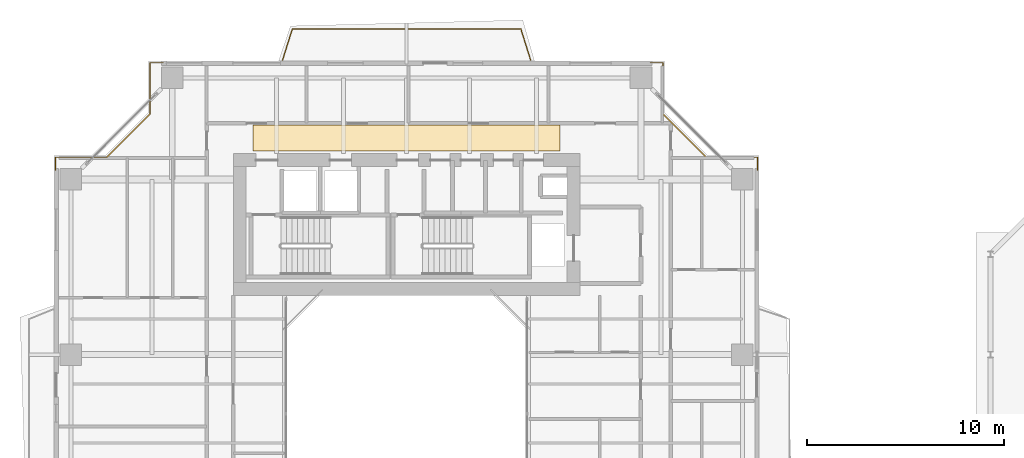
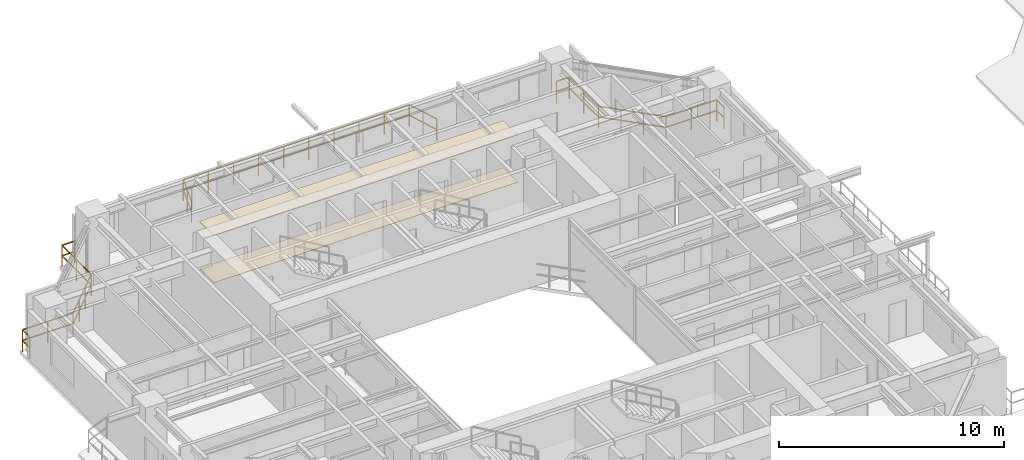
# One storey, part 28 of 28: 3 railings, 2 coverings.
"""IFC4 building model written with IfcOpenShell, lengths in metres."""

from ifc_helpers import new_model, si_unit, direction, frame, origin, origin_2d, place, context, subcontext, project, spatial, polyline, rectangle, outline, extrude, material, layer, layer_set, type_object, element, save


model = new_model("IFC4")

# Units and contexts
model_context = context("Model", 3, precision=1e-05, world=origin(), true_north=direction((0.0, 1.0)))
body_context = subcontext(model_context, "Body", "Model", "MODEL_VIEW")
ifc_project = project(units=[si_unit("LENGTHUNIT", "METRE"), si_unit("AREAUNIT", "SQUARE_METRE"), si_unit("VOLUMEUNIT", "CUBIC_METRE"), si_unit("PLANEANGLEUNIT", "RADIAN"), si_unit("MASSUNIT", "GRAM", prefix="KILO"), si_unit("THERMODYNAMICTEMPERATUREUNIT", "KELVIN"), si_unit("POWERUNIT", "WATT")], contexts=[model_context])

# Site, building, storey
site_placement = place(None, origin())
site = spatial("IfcSite", under=ifc_project, at=site_placement, CompositionType="ELEMENT")
building_placement = place(site_placement, origin())
building = spatial("IfcBuilding", under=site, at=building_placement, Name="Qiaomeng Ring Towers", CompositionType="ELEMENT")
storey_placement = place(building_placement, frame((0.0, 0.0, 113.25)))
storey = spatial("IfcBuildingStorey", under=building, at=storey_placement, Name="L32", CompositionType="ELEMENT", Elevation=113.25)

# Coverings
ifc_material_1 = material(Name="Mineral fibre acoustic ceiling tile", Category="gypsum")
ifc_layer_1 = layer(ifc_material_1, 0.02490234375, Name="Mineral fibre acoustic ceiling tile")
ifc_layer_set_1 = layer_set([ifc_layer_1], Name="Mineral fibre acoustic ceiling tile")
covering_type_1 = type_object("IfcCoveringType", Name="ARC-COV-CEIL1", PredefinedType="CEILING", material=ifc_layer_set_1)
covering_1_placement = place(storey_placement, frame((0.0, 0.0, 2.550048828125)))
element("IfcCovering", 1, at=covering_1_placement, inside=storey, type_object=covering_type_1, Name="L32 Corridor Acoustic Ceiling", PredefinedType="CEILING", context=body_context, shape_type="SweptSolid", body=[
    extrude(outline(polyline([(11.199951171875, 36.35009765625), (11.199951171875, 37.64990234375), (26.800048828125, 37.64990234375), (26.800048828125, 36.35009765625), (11.199951171875, 36.35009765625)])), origin(), (0.0, 0.0, 1.0), 0.02490234375),
])
ifc_material_2 = material(Name="Vitrified porcelain floor tile", Category="ceramic")
ifc_layer_2 = layer(ifc_material_2, 0.02001953125, Name="Vitrified porcelain floor tile")
ifc_layer_set_2 = layer_set([ifc_layer_2], Name="Vitrified porcelain floor tile")
covering_type_2 = type_object("IfcCoveringType", Name="ARC-COV-FLR1", PredefinedType="FLOORING", material=ifc_layer_set_2)
covering_2_placement = place(storey_placement, origin())
element("IfcCovering", 2, at=covering_2_placement, inside=storey, type_object=covering_type_2, Name="L32 Corridor Stone Flooring", PredefinedType="FLOORING", context=body_context, shape_type="SweptSolid", body=[
    extrude(outline(polyline([(11.199951171875, 36.35009765625), (11.199951171875, 37.64990234375), (26.800048828125, 37.64990234375), (26.800048828125, 36.35009765625), (11.199951171875, 36.35009765625)])), origin(), (0.0, 0.0, 1.0), 0.02001953125),
])

# Railings
ifc_material_3 = material(Name="Low-E pale-green laminated safety glass", Category="glass")
railing_type = type_object("IfcRailingType", Name="ARC-RL-BAL1", PredefinedType="BALUSTRADE", material=ifc_material_3)
railing_1_placement = place(storey_placement, frame((36.820068359375, 35.3701171875, 0.0)))
element("IfcRailing", 3, at=railing_1_placement, inside=storey, type_object=railing_type, Name="L32 Balustrade ARC-BAL-NOTCH1-L32-NE", PredefinedType="BALUSTRADE", context=body_context, shape_type="SweptSolid", body=[
    extrude(rectangle(XDim=0.048095703125, YDim=0.048095703125, at=origin_2d()), frame((0.0, 0.0, 1.17578125), z_axis=(0.0, 1.0, 0.0), x_axis=(-1.0, 0.0, 0.0)), (0.0, 0.0, 1.0), 0.64990234375),
    extrude(rectangle(XDim=0.048095703125, YDim=0.048095703125, at=origin_2d()), frame((0.0, 0.0, 0.60009765625), z_axis=(0.0, 1.0, 0.0), x_axis=(-1.0, 0.0, 0.0)), (0.0, 0.0, 1.0), 0.64990234375),
    extrude(rectangle(XDim=0.048095703125, YDim=0.048095703125, at=origin_2d()), frame((0.0, 0.64990234375, 1.17578125), z_axis=(-1.0, 0.0, 0.0), x_axis=(0.0, -1.0, 0.0)), (0.0, 0.0, 1.0), 2.60009765625),
    extrude(rectangle(XDim=0.048095703125, YDim=0.048095703125, at=origin_2d()), frame((0.0, 0.64990234375, 0.60009765625), z_axis=(-1.0, 0.0, 0.0), x_axis=(0.0, -1.0, 0.0)), (0.0, 0.0, 1.0), 2.60009765625),
    extrude(rectangle(XDim=0.048095703125, YDim=0.048095703125, at=origin_2d()), frame((-2.60009765625, 0.64990234375, 1.17578125), z_axis=(-0.707106781187, 0.707106781187, 0.0), x_axis=(-0.707106781187, -0.707106781187, 0.0)), (0.0, 0.0, 1.0), 3.111083984375),
    extrude(rectangle(XDim=0.048095703125, YDim=0.048095703125, at=origin_2d()), frame((-2.60009765625, 0.64990234375, 0.60009765625), z_axis=(-0.707106781187, 0.707106781187, 0.0), x_axis=(-0.707106781187, -0.707106781187, 0.0)), (0.0, 0.0, 1.0), 3.111083984375),
    extrude(rectangle(XDim=0.048095703125, YDim=0.048095703125, at=origin_2d()), frame((-4.800048828125, 2.849853515625, 1.17578125), z_axis=(0.0, 1.0, 0.0), x_axis=(-1.0, 0.0, 0.0)), (0.0, 0.0, 1.0), 2.60009765625),
    extrude(rectangle(XDim=0.048095703125, YDim=0.048095703125, at=origin_2d()), frame((-4.800048828125, 2.849853515625, 0.60009765625), z_axis=(0.0, 1.0, 0.0), x_axis=(-1.0, 0.0, 0.0)), (0.0, 0.0, 1.0), 2.60009765625),
    extrude(rectangle(XDim=0.048095703125, YDim=0.048095703125, at=origin_2d()), frame((-4.800048828125, 5.449951171875, 1.17578125), z_axis=(-1.0, 0.0, 0.0), x_axis=(0.0, -1.0, 0.0)), (0.0, 0.0, 1.0), 0.64990234375),
    extrude(rectangle(XDim=0.048095703125, YDim=0.048095703125, at=origin_2d()), frame((-4.800048828125, 5.449951171875, 0.60009765625), z_axis=(-1.0, 0.0, 0.0), x_axis=(0.0, -1.0, 0.0)), (0.0, 0.0, 1.0), 0.64990234375),
    extrude(rectangle(XDim=0.0419921875, YDim=0.0419921875, at=origin_2d()), origin(), (0.0, 0.0, 1.0), 1.15185546875),
    extrude(rectangle(XDim=0.0419921875, YDim=0.0419921875, at=origin_2d()), frame((0.0, 0.64990234375, 0.0)), (0.0, 0.0, 1.0), 1.15185546875),
    extrude(rectangle(XDim=0.0419921875, YDim=0.0419921875, at=origin_2d()), frame((-1.300048828125, 0.64990234375, 0.0)), (0.0, 0.0, 1.0), 1.15185546875),
    extrude(rectangle(XDim=0.0419921875, YDim=0.0419921875, at=origin_2d()), frame((-2.60009765625, 0.64990234375, 0.0)), (0.0, 0.0, 1.0), 1.15185546875),
    extrude(rectangle(XDim=0.0419921875, YDim=0.0419921875, at=origin_2d()), frame((-3.33349609375, 1.38330078125, 0.0)), (0.0, 0.0, 1.0), 1.15185546875),
    extrude(rectangle(XDim=0.0419921875, YDim=0.0419921875, at=origin_2d()), frame((-4.066650390625, 2.116455078125, 0.0)), (0.0, 0.0, 1.0), 1.15185546875),
    extrude(rectangle(XDim=0.0419921875, YDim=0.0419921875, at=origin_2d()), frame((-4.800048828125, 2.849853515625, 0.0)), (0.0, 0.0, 1.0), 1.15185546875),
    extrude(rectangle(XDim=0.0419921875, YDim=0.0419921875, at=origin_2d()), frame((-4.800048828125, 4.14990234375, 0.0)), (0.0, 0.0, 1.0), 1.15185546875),
    extrude(rectangle(XDim=0.0419921875, YDim=0.0419921875, at=origin_2d()), frame((-4.800048828125, 5.449951171875, 0.0)), (0.0, 0.0, 1.0), 1.15185546875),
    extrude(rectangle(XDim=0.0419921875, YDim=0.0419921875, at=origin_2d()), frame((-5.449951171875, 5.449951171875, 0.0)), (0.0, 0.0, 1.0), 1.15185546875),
])
railing_2_placement = place(storey_placement, frame((6.6298828125, 40.820068359375, 0.0)))
element("IfcRailing", 4, at=railing_2_placement, inside=storey, type_object=railing_type, Name="L32 Balustrade ARC-BAL-NOTCH1-L32-NW", PredefinedType="BALUSTRADE", context=body_context, shape_type="SweptSolid", body=[
    extrude(rectangle(XDim=0.048095703125, YDim=0.048095703125, at=origin_2d()), frame((0.0, 0.0, 1.17578125), z_axis=(-1.0, 0.0, 0.0), x_axis=(0.0, -1.0, 0.0)), (0.0, 0.0, 1.0), 0.64990234375),
    extrude(rectangle(XDim=0.048095703125, YDim=0.048095703125, at=origin_2d()), frame((0.0, 0.0, 0.60009765625), z_axis=(-1.0, 0.0, 0.0), x_axis=(0.0, -1.0, 0.0)), (0.0, 0.0, 1.0), 0.64990234375),
    extrude(rectangle(XDim=0.048095703125, YDim=0.048095703125, at=origin_2d()), frame((-0.64990234375, 0.0, 1.17578125), z_axis=(0.0, -1.0, 0.0), x_axis=(1.0, 0.0, 0.0)), (0.0, 0.0, 1.0), 2.60009765625),
    extrude(rectangle(XDim=0.048095703125, YDim=0.048095703125, at=origin_2d()), frame((-0.64990234375, 0.0, 0.60009765625), z_axis=(0.0, -1.0, 0.0), x_axis=(1.0, 0.0, 0.0)), (0.0, 0.0, 1.0), 2.60009765625),
    extrude(rectangle(XDim=0.048095703125, YDim=0.048095703125, at=origin_2d()), frame((-0.64990234375, -2.60009765625, 1.17578125), z_axis=(-0.707106781187, -0.707106781187, 0.0), x_axis=(0.707106781187, -0.707106781187, 0.0)), (0.0, 0.0, 1.0), 3.111083984375),
    extrude(rectangle(XDim=0.048095703125, YDim=0.048095703125, at=origin_2d()), frame((-0.64990234375, -2.60009765625, 0.60009765625), z_axis=(-0.707106781187, -0.707106781187, 0.0), x_axis=(0.707106781187, -0.707106781187, 0.0)), (0.0, 0.0, 1.0), 3.111083984375),
    extrude(rectangle(XDim=0.048095703125, YDim=0.048095703125, at=origin_2d()), frame((-2.849853515625, -4.800048828125, 1.17578125), z_axis=(-1.0, 0.0, 0.0), x_axis=(0.0, -1.0, 0.0)), (0.0, 0.0, 1.0), 2.60009765625),
    extrude(rectangle(XDim=0.048095703125, YDim=0.048095703125, at=origin_2d()), frame((-2.849853515625, -4.800048828125, 0.60009765625), z_axis=(-1.0, 0.0, 0.0), x_axis=(0.0, -1.0, 0.0)), (0.0, 0.0, 1.0), 2.60009765625),
    extrude(rectangle(XDim=0.048095703125, YDim=0.048095703125, at=origin_2d()), frame((-5.449951171875, -4.800048828125, 1.17578125), z_axis=(0.0, -1.0, 0.0), x_axis=(1.0, 0.0, 0.0)), (0.0, 0.0, 1.0), 0.64990234375),
    extrude(rectangle(XDim=0.048095703125, YDim=0.048095703125, at=origin_2d()), frame((-5.449951171875, -4.800048828125, 0.60009765625), z_axis=(0.0, -1.0, 0.0), x_axis=(1.0, 0.0, 0.0)), (0.0, 0.0, 1.0), 0.64990234375),
    extrude(rectangle(XDim=0.0419921875, YDim=0.0419921875, at=origin_2d()), origin(), (0.0, 0.0, 1.0), 1.15185546875),
    extrude(rectangle(XDim=0.0419921875, YDim=0.0419921875, at=origin_2d()), frame((-0.64990234375, 0.0, 0.0)), (0.0, 0.0, 1.0), 1.15185546875),
    extrude(rectangle(XDim=0.0419921875, YDim=0.0419921875, at=origin_2d()), frame((-0.64990234375, -1.300048828125, 0.0)), (0.0, 0.0, 1.0), 1.15185546875),
    extrude(rectangle(XDim=0.0419921875, YDim=0.0419921875, at=origin_2d()), frame((-0.64990234375, -2.60009765625, 0.0)), (0.0, 0.0, 1.0), 1.15185546875),
    extrude(rectangle(XDim=0.0419921875, YDim=0.0419921875, at=origin_2d()), frame((-1.38330078125, -3.33349609375, 0.0)), (0.0, 0.0, 1.0), 1.15185546875),
    extrude(rectangle(XDim=0.0419921875, YDim=0.0419921875, at=origin_2d()), frame((-2.116455078125, -4.066650390625, 0.0)), (0.0, 0.0, 1.0), 1.15185546875),
    extrude(rectangle(XDim=0.0419921875, YDim=0.0419921875, at=origin_2d()), frame((-2.849853515625, -4.800048828125, 0.0)), (0.0, 0.0, 1.0), 1.15185546875),
    extrude(rectangle(XDim=0.0419921875, YDim=0.0419921875, at=origin_2d()), frame((-4.14990234375, -4.800048828125, 0.0)), (0.0, 0.0, 1.0), 1.15185546875),
    extrude(rectangle(XDim=0.0419921875, YDim=0.0419921875, at=origin_2d()), frame((-5.449951171875, -4.800048828125, 0.0)), (0.0, 0.0, 1.0), 1.15185546875),
    extrude(rectangle(XDim=0.0419921875, YDim=0.0419921875, at=origin_2d()), frame((-5.449951171875, -5.449951171875, 0.0)), (0.0, 0.0, 1.0), 1.15185546875),
])
railing_3_placement = place(storey_placement, frame((12.699951171875, 40.949951171875, 0.0)))
element("IfcRailing", 5, at=railing_3_placement, inside=storey, type_object=railing_type, Name="L32 Balustrade ARC-BAL-L32-T1-N", PredefinedType="BALUSTRADE", context=body_context, shape_type="SweptSolid", body=[
    extrude(rectangle(XDim=0.048095703125, YDim=0.048095703125, at=origin_2d()), frame((0.0, 0.0, 1.17578125), z_axis=(0.299967512283, 0.953949417723, 0.0), x_axis=(-0.953949417723, 0.299967512283, 0.0)), (0.0, 0.0, 1.0), 1.666748046875),
    extrude(rectangle(XDim=0.048095703125, YDim=0.048095703125, at=origin_2d()), frame((0.0, 0.0, 0.60009765625), z_axis=(0.299967512283, 0.953949417723, 0.0), x_axis=(-0.953949417723, 0.299967512283, 0.0)), (0.0, 0.0, 1.0), 1.666748046875),
    extrude(rectangle(XDim=0.048095703125, YDim=0.048095703125, at=origin_2d()), frame((0.5, 1.590087890625, 1.17578125), z_axis=(1.0, 0.0, 0.0), x_axis=(0.0, 1.0, 0.0)), (0.0, 0.0, 1.0), 11.60009765625),
    extrude(rectangle(XDim=0.048095703125, YDim=0.048095703125, at=origin_2d()), frame((0.5, 1.590087890625, 0.60009765625), z_axis=(1.0, 0.0, 0.0), x_axis=(0.0, 1.0, 0.0)), (0.0, 0.0, 1.0), 11.60009765625),
    extrude(rectangle(XDim=0.048095703125, YDim=0.048095703125, at=origin_2d()), frame((12.10009765625, 1.590087890625, 1.17578125), z_axis=(0.299967512283, -0.953949417723, 0.0), x_axis=(0.953949417723, 0.299967512283, 0.0)), (0.0, 0.0, 1.0), 1.666748046875),
    extrude(rectangle(XDim=0.048095703125, YDim=0.048095703125, at=origin_2d()), frame((12.10009765625, 1.590087890625, 0.60009765625), z_axis=(0.299967512283, -0.953949417723, 0.0), x_axis=(0.953949417723, 0.299967512283, 0.0)), (0.0, 0.0, 1.0), 1.666748046875),
    extrude(rectangle(XDim=0.0419921875, YDim=0.0419921875, at=origin_2d()), origin(), (0.0, 0.0, 1.0), 1.15185546875),
    extrude(rectangle(XDim=0.0419921875, YDim=0.0419921875, at=origin_2d()), frame((0.25, 0.794921875, 0.0)), (0.0, 0.0, 1.0), 1.15185546875),
    extrude(rectangle(XDim=0.0419921875, YDim=0.0419921875, at=origin_2d()), frame((0.5, 1.590087890625, 0.0)), (0.0, 0.0, 1.0), 1.15185546875),
    extrude(rectangle(XDim=0.0419921875, YDim=0.0419921875, at=origin_2d()), frame((1.788818359375, 1.590087890625, 0.0)), (0.0, 0.0, 1.0), 1.15185546875),
    extrude(rectangle(XDim=0.0419921875, YDim=0.0419921875, at=origin_2d()), frame((3.077880859375, 1.590087890625, 0.0)), (0.0, 0.0, 1.0), 1.15185546875),
    extrude(rectangle(XDim=0.0419921875, YDim=0.0419921875, at=origin_2d()), frame((4.36669921875, 1.590087890625, 0.0)), (0.0, 0.0, 1.0), 1.15185546875),
    extrude(rectangle(XDim=0.0419921875, YDim=0.0419921875, at=origin_2d()), frame((5.655517578125, 1.590087890625, 0.0)), (0.0, 0.0, 1.0), 1.15185546875),
    extrude(rectangle(XDim=0.0419921875, YDim=0.0419921875, at=origin_2d()), frame((6.944580078125, 1.590087890625, 0.0)), (0.0, 0.0, 1.0), 1.15185546875),
    extrude(rectangle(XDim=0.0419921875, YDim=0.0419921875, at=origin_2d()), frame((8.2333984375, 1.590087890625, 0.0)), (0.0, 0.0, 1.0), 1.15185546875),
    extrude(rectangle(XDim=0.0419921875, YDim=0.0419921875, at=origin_2d()), frame((9.522216796875, 1.590087890625, 0.0)), (0.0, 0.0, 1.0), 1.15185546875),
    extrude(rectangle(XDim=0.0419921875, YDim=0.0419921875, at=origin_2d()), frame((10.811279296875, 1.590087890625, 0.0)), (0.0, 0.0, 1.0), 1.15185546875),
    extrude(rectangle(XDim=0.0419921875, YDim=0.0419921875, at=origin_2d()), frame((12.10009765625, 1.590087890625, 0.0)), (0.0, 0.0, 1.0), 1.15185546875),
    extrude(rectangle(XDim=0.0419921875, YDim=0.0419921875, at=origin_2d()), frame((12.35009765625, 0.794921875, 0.0)), (0.0, 0.0, 1.0), 1.15185546875),
    extrude(rectangle(XDim=0.0419921875, YDim=0.0419921875, at=origin_2d()), frame((12.60009765625, 0.0, 0.0)), (0.0, 0.0, 1.0), 1.15185546875),
])

save(model, "model.ifc")
